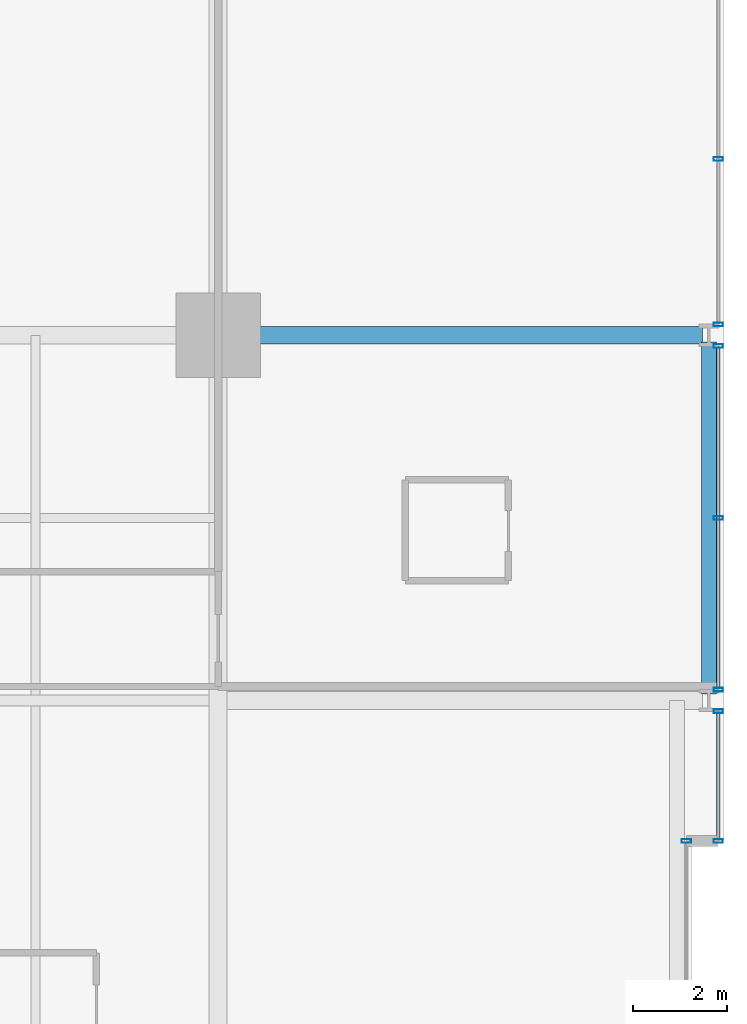
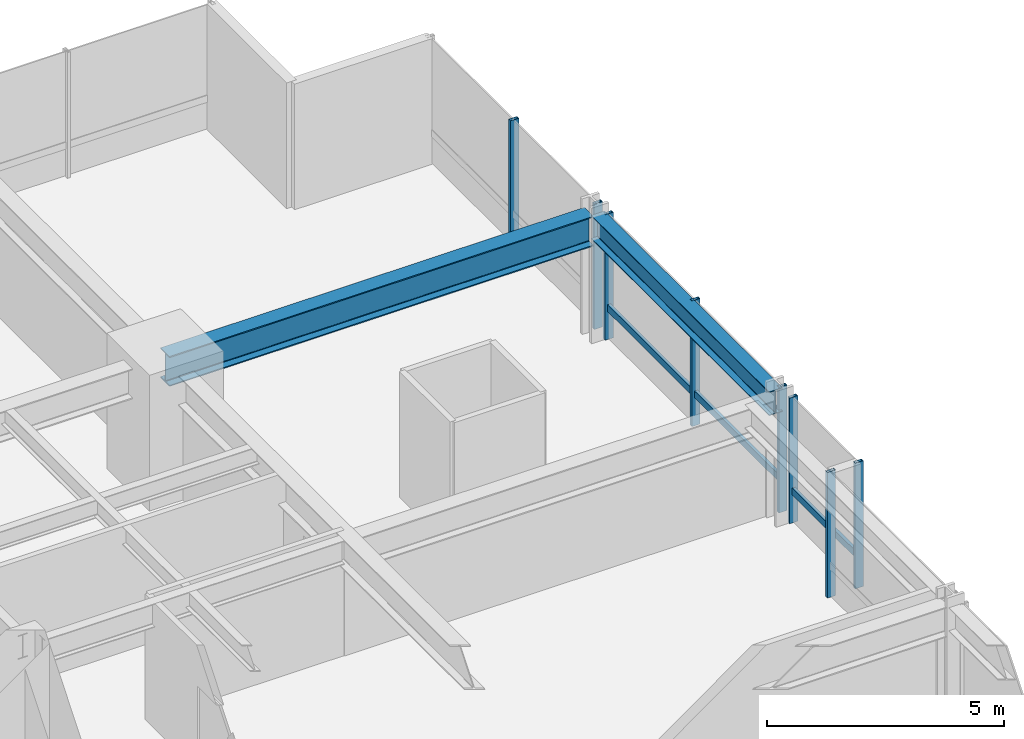
# One storey, part 25 of 37: 10 members, 2 beams, 4 elements without a shape of their own.
"""IFC4 building model written with IfcOpenShell, lengths in metres."""

from ifc_helpers import new_model, si_unit, direction, frame, origin, origin_2d, place, context, subcontext, project, spatial, hollow_rectangle, i_section, extrude, material, layer, layer_set, material_profile, profile_set, type_object, element, aggregate, save


model = new_model("IFC4")

# Units and contexts
model_context = context("Model", 3, precision=1e-05, world=origin(), true_north=direction((0.0, 1.0)))
body_context = subcontext(model_context, "Body", "Model", "MODEL_VIEW")
ifc_project = project(units=[si_unit("LENGTHUNIT", "METRE"), si_unit("AREAUNIT", "SQUARE_METRE"), si_unit("VOLUMEUNIT", "CUBIC_METRE"), si_unit("PLANEANGLEUNIT", "RADIAN"), si_unit("MASSUNIT", "GRAM", prefix="KILO")], contexts=[model_context])

# Site, building, storey
site_placement = place(None, origin())
site = spatial("IfcSite", under=ifc_project, at=site_placement, CompositionType="ELEMENT")
building_placement = place(site_placement, origin())
building = spatial("IfcBuilding", under=site, at=building_placement, Name="Drelvath Grand Hotel", CompositionType="ELEMENT")
storey_placement = place(building_placement, frame((0.0, 0.0, 75.199951171875)))
storey = spatial("IfcBuildingStorey", under=building, at=storey_placement, Name="L18", CompositionType="ELEMENT", Elevation=75.199951171875)

# Curtain wall, member
ifc_material_1 = material(Name="Warm Bronze Anodised Aluminium Frame", Category="aluminium")
ifc_layer = layer(ifc_material_1, 0.199951171875)
ifc_layer_set = layer_set([ifc_layer], Name="Warm Bronze Anodised Aluminium Frame")
curtain_wall_type = type_object("IfcCurtainWallType", Name="Stick Curtain Wall CW-02 Warm Bronze Low-Rise", PredefinedType="NOTDEFINED", material=ifc_layer_set)
curtain_wall_1_placement = place(storey_placement, origin())
curtain_wall_1 = element("IfcCurtainWall", 1, at=curtain_wall_1_placement, inside=storey, type_object=curtain_wall_type, Name="L18 CW-02 Curtain Wall CW02-L18-EN1", PredefinedType="NOTDEFINED")
ifc_material_profile_1 = material_profile(ifc_material_1, hollow_rectangle(XDim=0.074951171875, YDim=0.179931640625, WallThickness=0.0048828125, at=origin_2d()), Name="HSS180X75X5")
ifc_profile_set_1 = profile_set([ifc_material_profile_1], Name="Warm Bronze Anodised Aluminium Frame")
member_type_1 = type_object("IfcMemberType", Name="Curtain Wall Horizontal Transom CW-02 HSS180X75X5", PredefinedType="USERDEFINED", material=ifc_profile_set_1)
member_1_placement = place(storey_placement, frame((26.8798828125, 35.130859375, 0.81005859375), z_axis=(0.0, -1.0, 0.0), x_axis=(1.0, 0.0, 0.0)))
member_1 = element("IfcMember", 2, at=member_1_placement, type_object=member_type_1, Name="CW02-L18-EN1 Sill Transom", ObjectType="TRANSOM", PredefinedType="USERDEFINED", context=body_context, shape_type="SweptSolid", body=[
    extrude(hollow_rectangle(XDim=0.074951171875, YDim=0.179931640625, WallThickness=0.0048828125, at=origin_2d()), origin(), (0.0, 0.0, 1.0), 2.69091796875),
])

curtain_wall_2_placement = place(storey_placement, origin())
curtain_wall_2 = element("IfcCurtainWall", 3, at=curtain_wall_2_placement, inside=storey, type_object=curtain_wall_type, Name="L18 CW-02 Curtain Wall CW02-L18-EN2", PredefinedType="NOTDEFINED")
member_2_placement = place(storey_placement, frame((26.8798828125, 42.930908203125, 0.81005859375), z_axis=(0.0, -1.0, 0.0), x_axis=(1.0, 0.0, 0.0)))
member_2 = element("IfcMember", 4, at=member_2_placement, type_object=member_type_1, Name="CW02-L18-EN2 Sill Transom", ObjectType="TRANSOM", PredefinedType="USERDEFINED", context=body_context, shape_type="SweptSolid", body=[
    extrude(hollow_rectangle(XDim=0.074951171875, YDim=0.179931640625, WallThickness=0.0048828125, at=origin_2d()), origin(), (0.0, 0.0, 1.0), 7.26171875),
])

# Member
ifc_material_profile_2 = material_profile(ifc_material_1, hollow_rectangle(XDim=0.080078125, YDim=0.199951171875, WallThickness=0.0048828125, at=origin_2d()), Name="HSS200X80X5")
ifc_profile_set_2 = profile_set([ifc_material_profile_2], Name="Warm Bronze Anodised Aluminium Frame")
member_type_2 = type_object("IfcMemberType", Name="Curtain Wall Vertical Mullion CW-02 HSS200X80X5", PredefinedType="MULLION", material=ifc_profile_set_2)
member_3_placement = place(storey_placement, frame((26.8798828125, 35.1708984375, 0.0), z_axis=(0.0, 0.0, 1.0), x_axis=(0.0, 1.0, 0.0)))
member_3 = element("IfcMember", 5, at=member_3_placement, type_object=member_type_2, Name="CW02-L18-EN1 Mullion 1", PredefinedType="MULLION", context=body_context, shape_type="SweptSolid", body=[
    extrude(hollow_rectangle(XDim=0.080078125, YDim=0.199951171875, WallThickness=0.0048828125, at=origin_2d()), origin(), (0.0, 0.0, 1.0), 3.239990234375),
])

member_4_placement = place(storey_placement, frame((26.8798828125, 32.39990234375, 0.0), z_axis=(0.0, 0.0, 1.0), x_axis=(0.0, 1.0, 0.0)))
member_4 = element("IfcMember", 6, at=member_4_placement, type_object=member_type_2, Name="CW02-L18-EN1 Mullion 2", PredefinedType="MULLION", context=body_context, shape_type="SweptSolid", body=[
    extrude(hollow_rectangle(XDim=0.080078125, YDim=0.199951171875, WallThickness=0.0048828125, at=origin_2d()), origin(), (0.0, 0.0, 1.0), 3.239990234375),
])

aggregate(curtain_wall_1, [member_3, member_4, member_1])

member_5_placement = place(storey_placement, frame((26.8798828125, 42.970947265625, 0.0), z_axis=(0.0, 0.0, 1.0), x_axis=(0.0, 1.0, 0.0)))
member_5 = element("IfcMember", 7, at=member_5_placement, type_object=member_type_2, Name="CW02-L18-EN2 Mullion 1", PredefinedType="MULLION", context=body_context, shape_type="SweptSolid", body=[
    extrude(hollow_rectangle(XDim=0.080078125, YDim=0.199951171875, WallThickness=0.0048828125, at=origin_2d()), origin(), (0.0, 0.0, 1.0), 3.239990234375),
])

member_6_placement = place(storey_placement, frame((26.8798828125, 39.300048828125, 0.0), z_axis=(0.0, 0.0, 1.0), x_axis=(0.0, 1.0, 0.0)))
member_6 = element("IfcMember", 8, at=member_6_placement, type_object=member_type_2, Name="CW02-L18-EN2 Mullion 2", PredefinedType="MULLION", context=body_context, shape_type="SweptSolid", body=[
    extrude(hollow_rectangle(XDim=0.080078125, YDim=0.199951171875, WallThickness=0.0048828125, at=origin_2d()), origin(), (0.0, 0.0, 1.0), 3.239990234375),
])

member_7_placement = place(storey_placement, frame((26.8798828125, 35.629150390625, 0.0), z_axis=(0.0, 0.0, 1.0), x_axis=(0.0, 1.0, 0.0)))
member_7 = element("IfcMember", 9, at=member_7_placement, type_object=member_type_2, Name="CW02-L18-EN2 Mullion 3", PredefinedType="MULLION", context=body_context, shape_type="SweptSolid", body=[
    extrude(hollow_rectangle(XDim=0.080078125, YDim=0.199951171875, WallThickness=0.0048828125, at=origin_2d()), origin(), (0.0, 0.0, 1.0), 3.239990234375),
])

aggregate(curtain_wall_2, [member_5, member_6, member_7, member_2])

# Curtain wall, members
curtain_wall_3_placement = place(storey_placement, origin())
curtain_wall_3 = element("IfcCurtainWall", 10, at=curtain_wall_3_placement, inside=storey, type_object=curtain_wall_type, Name="L18 CW-02 Curtain Wall CW02-L18-EN3", PredefinedType="NOTDEFINED")
member_8_placement = place(storey_placement, frame((26.8798828125, 46.964599609375, 0.0), z_axis=(0.0, 0.0, 1.0), x_axis=(0.0, 1.0, 0.0)))
member_8 = element("IfcMember", 11, at=member_8_placement, type_object=member_type_2, Name="CW02-L18-EN3 Mullion 2", PredefinedType="MULLION", context=body_context, shape_type="SweptSolid", body=[
    extrude(hollow_rectangle(XDim=0.080078125, YDim=0.199951171875, WallThickness=0.0048828125, at=origin_2d()), origin(), (0.0, 0.0, 1.0), 3.239990234375),
])
member_9_placement = place(storey_placement, frame((26.8798828125, 43.42919921875, 0.0), z_axis=(0.0, 0.0, 1.0), x_axis=(0.0, 1.0, 0.0)))
member_9 = element("IfcMember", 12, at=member_9_placement, type_object=member_type_2, Name="CW02-L18-EN3 Mullion 3", PredefinedType="MULLION", context=body_context, shape_type="SweptSolid", body=[
    extrude(hollow_rectangle(XDim=0.080078125, YDim=0.199951171875, WallThickness=0.0048828125, at=origin_2d()), origin(), (0.0, 0.0, 1.0), 3.239990234375),
])
aggregate(curtain_wall_3, [member_8, member_9])

# Curtain wall, member
curtain_wall_4_placement = place(storey_placement, origin())
curtain_wall_4 = element("IfcCurtainWall", 13, at=curtain_wall_4_placement, inside=storey, type_object=curtain_wall_type, Name="L18 CW-02 Curtain Wall CW02-L18-EM2", PredefinedType="NOTDEFINED")
member_10_placement = place(storey_placement, frame((26.199951171875, 32.39990234375, 0.0), z_axis=(0.0, 0.0, 1.0), x_axis=(0.0, 1.0, 0.0)))
member_10 = element("IfcMember", 14, at=member_10_placement, type_object=member_type_2, Name="CW02-L18-EM2 Mullion 1", PredefinedType="MULLION", context=body_context, shape_type="SweptSolid", body=[
    extrude(hollow_rectangle(XDim=0.080078125, YDim=0.199951171875, WallThickness=0.0048828125, at=origin_2d()), origin(), (0.0, 0.0, 1.0), 3.239990234375),
])
aggregate(curtain_wall_4, [member_10])

# Beams
ifc_material_2 = material(Name="Steel ASTM A992 Gr 50", Category="steel")
ifc_material_profile_3 = material_profile(ifc_material_2, i_section(OverallWidth=0.323974609375, OverallDepth=0.611083984375, WebThickness=0.0126953125, FlangeThickness=0.01904296875, FilletRadius=0.02197265625, at=origin_2d()), Name="W24X104")
ifc_profile_set_3 = profile_set([ifc_material_profile_3], Name="Steel ASTM A992 Gr 50")
beam_type_1 = type_object("IfcBeamType", Name="Perimeter Spandrel Beam W24X104", PredefinedType="SPANDREL", material=ifc_profile_set_3)
beam_1_placement = place(storey_placement, frame((26.679931640625, 35.5400390625, 2.9345703125), z_axis=(0.0, 1.0, 0.0), x_axis=(-1.0, 0.0, 0.0)))
element("IfcBeam", 15, at=beam_1_placement, inside=storey, type_object=beam_type_1, Name="L18 Spandrel East N", PredefinedType="SPANDREL", context=body_context, shape_type="SweptSolid", body=[
    extrude(i_section(OverallWidth=0.323974609375, OverallDepth=0.611083984375, WebThickness=0.0126953125, FlangeThickness=0.01904296875, FilletRadius=0.02197265625, at=origin_2d()), origin(), (0.0, 0.0, 1.0), 7.52001953125),
])
ifc_material_profile_4 = material_profile(ifc_material_2, i_section(OverallWidth=0.380615234375, OverallDepth=0.773193359375, WebThickness=0.0166015625, FlangeThickness=0.027099609375, FilletRadius=0.02490234375, at=origin_2d()), Name="W30X173")
ifc_profile_set_4 = profile_set([ifc_material_profile_4], Name="Steel ASTM A992 Gr 50")
beam_type_2 = type_object("IfcBeamType", Name="Primary Floor Girder W30X173", PredefinedType="BEAM", material=ifc_profile_set_4)
beam_2_placement = place(storey_placement, frame((16.199951171875, 43.199951171875, 2.853515625), z_axis=(1.0, 0.0, 0.0), x_axis=(0.0, 1.0, 0.0)))
element("IfcBeam", 16, at=beam_2_placement, inside=storey, type_object=beam_type_2, Name="L18 East Grid Girder G", PredefinedType="BEAM", context=body_context, shape_type="SweptSolid", body=[
    extrude(i_section(OverallWidth=0.380615234375, OverallDepth=0.773193359375, WebThickness=0.0166015625, FlangeThickness=0.027099609375, FilletRadius=0.02490234375, at=origin_2d()), origin(), (0.0, 0.0, 1.0), 10.340087890625),
])

save(model, "model.ifc")
